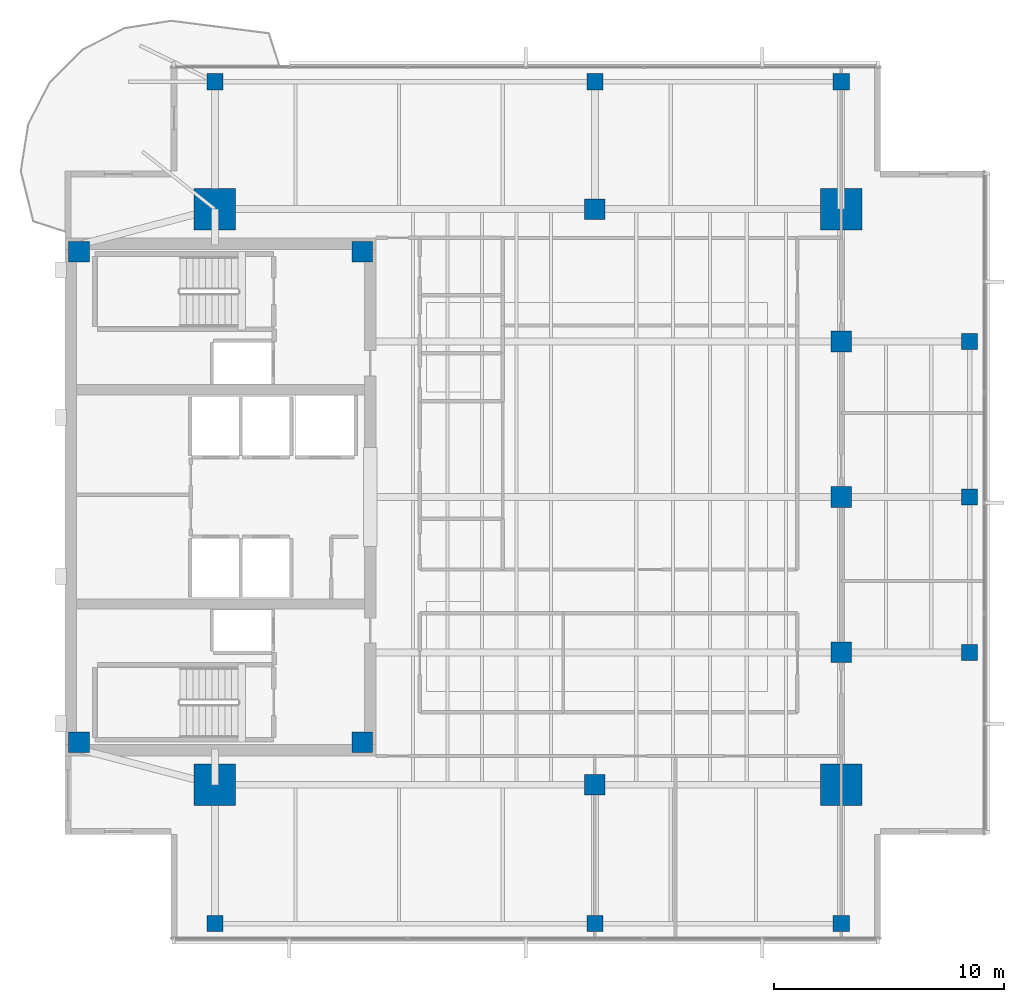
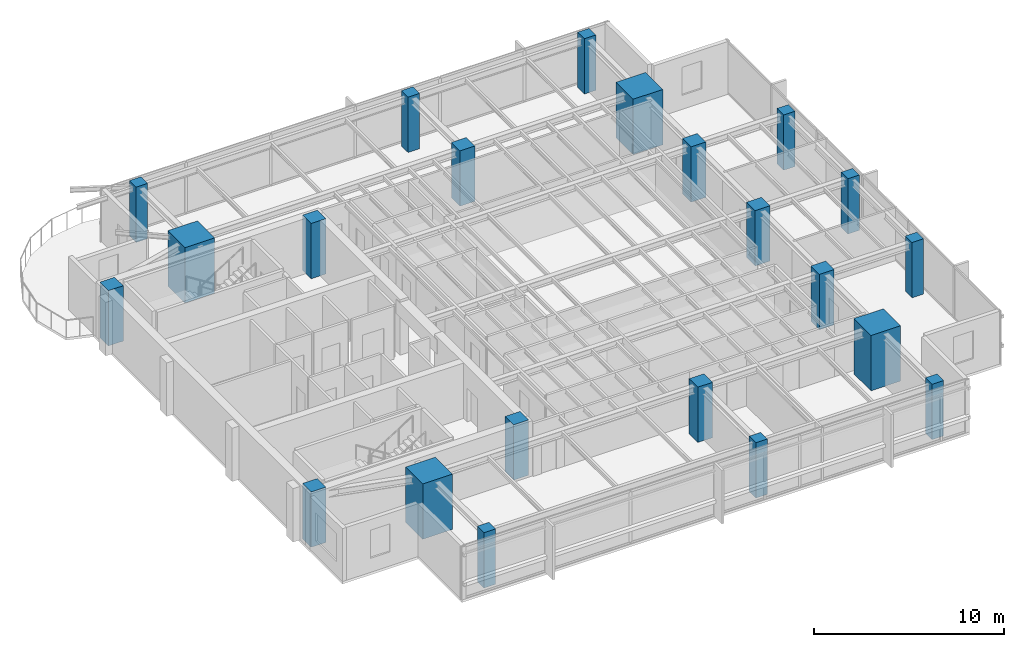
# One storey, part 1 of 14: 22 columns.
"""IFC4 building model written with IfcOpenShell, lengths in metres."""

import ifcopenshell
import ifcopenshell.guid

model = None  # the IFC model being written
_history = None  # IfcOwnerHistory: only IFC2X3 demands one
_inside = {}  # id of a spatial element -> (the spatial element, [elements in it])
_under = {}  # id of a project, library or spatial element -> (it, [spatial elements below it])
_declared = {}  # id of a project -> (the project, [libraries it declares])
_typed = {}  # id of a type object -> (the type object, [elements of that type])
_made_of = {}  # id of a material, layer set ... -> (it, [elements and type objects made of it])


def new_model(schema):
    """Start an empty IFC model of exactly this schema.

    Asked for "IFC4X3", IfcOpenShell would pick the latest addendum, in which some entities
    have other attributes; the version numbers below select the first issue.
    IFC2X3 requires an IfcOwnerHistory on every rooted entity: one is made here for all.
    """
    global model, _history
    if schema == "IFC4X3":
        model = ifcopenshell.file(schema_version=(4, 3, 0, 0))
    else:
        model = ifcopenshell.file(schema=schema)
    _inside.clear()
    _under.clear()
    _declared.clear()
    _typed.clear()
    _made_of.clear()
    _history = None
    if model.schema == "IFC2X3":
        org = make("IfcOrganization", Name="unknown")
        user = make(
            "IfcPersonAndOrganization",
            ThePerson=make("IfcPerson", FamilyName="unknown"),
            TheOrganization=org,
        )
        app = make(
            "IfcApplication",
            ApplicationDeveloper=org,
            Version="unknown",
            ApplicationFullName="unknown",
            ApplicationIdentifier="unknown",
        )
        _history = make(
            "IfcOwnerHistory",
            OwningUser=user,
            OwningApplication=app,
            ChangeAction="ADDED",
            CreationDate=0,
        )
    return model


def make(cls, **values):
    """One entity of the class cls with the attributes given. An attribute that is None is left unset."""
    return model.create_entity(
        cls, **{name: value for name, value in values.items() if value is not None}
    )


def rooted(cls, **values):
    """An entity with a GlobalId (a new one), such as an element, a storey or a relation."""
    return make(cls, GlobalId=ifcopenshell.guid.new(), OwnerHistory=_history, **values)


def si_unit(unit_type, name, prefix=None):
    """IfcSIUnit, for example si_unit("LENGTHUNIT", "METRE", prefix="MILLI")."""
    return make("IfcSIUnit", UnitType=unit_type, Prefix=prefix, Name=name)


def assignment(units):
    """IfcUnitAssignment: the units of a project."""
    return None if units is None else make("IfcUnitAssignment", Units=units)


def point(xyz):
    """IfcCartesianPoint."""
    return None if xyz is None else make("IfcCartesianPoint", Coordinates=xyz)


def direction(xyz):
    """IfcDirection."""
    return None if xyz is None else make("IfcDirection", DirectionRatios=xyz)


def frame(location, z_axis=None, x_axis=None):
    """IfcAxis2Placement3D, a coordinate frame: its origin and axes. An axis left out is left unset."""
    return make(
        "IfcAxis2Placement3D",
        Location=point(location),
        Axis=direction(z_axis),
        RefDirection=direction(x_axis),
    )


def frame_2d(location, x_axis=None):
    """IfcAxis2Placement2D, a coordinate frame in the plane: its origin and x axis."""
    return make(
        "IfcAxis2Placement2D", Location=point(location), RefDirection=direction(x_axis)
    )


def origin():
    """The frame at (0, 0, 0) with its axes left unset."""
    return frame((0.0, 0.0, 0.0))


def origin_2d():
    """The frame at (0, 0) in the plane with its x axis left unset."""
    return frame_2d((0.0, 0.0))


def place(relative_to, where):
    """IfcLocalPlacement: puts the frame where relative to a parent placement (None: the world)."""
    return make(
        "IfcLocalPlacement", PlacementRelTo=relative_to, RelativePlacement=where
    )


def context(
    kind, dimensions, precision=None, world=None, true_north=None, identifier=None
):
    """IfcGeometricRepresentationContext, for example the 3D "Model" context."""
    return make(
        "IfcGeometricRepresentationContext",
        ContextIdentifier=identifier,
        ContextType=kind,
        CoordinateSpaceDimension=dimensions,
        Precision=precision,
        WorldCoordinateSystem=world,
        TrueNorth=true_north,
    )


def subcontext(parent, identifier, kind, view, scale=None):
    """IfcGeometricRepresentationSubContext, for example "Body" below "Model"."""
    return make(
        "IfcGeometricRepresentationSubContext",
        ContextIdentifier=identifier,
        ContextType=kind,
        ParentContext=parent,
        TargetScale=scale,
        TargetView=view,
    )


def project(units=None, contexts=None):
    """IfcProject with its units and contexts."""
    return rooted(
        "IfcProject",
        Name="project",
        RepresentationContexts=contexts,
        UnitsInContext=assignment(units),
    )


def spatial(cls, under=None, at=None, **own):
    """A site, building, storey or space (cls), placed at a placement, below another one or the project."""
    s = rooted(cls, ObjectPlacement=at, **own)
    if under is not None:
        _under.setdefault(under.id(), (under, []))[1].append(s)
    return s


def profile(cls, at=None, kind="AREA", **sizes):
    """A parametric profile (cls). Its sizes go by their IFC names, for example OverallWidth=200.0."""
    return make(cls, ProfileType=kind, Position=at, **sizes)


def rectangle(**sizes):
    """IfcRectangleProfileDef."""
    return profile("IfcRectangleProfileDef", **sizes)


def extrude(swept, where, along, depth):
    """IfcExtrudedAreaSolid: the profile swept, set in the frame where, extruded along a direction by depth."""
    return make(
        "IfcExtrudedAreaSolid",
        SweptArea=swept,
        Position=where,
        ExtrudedDirection=direction(along),
        Depth=depth,
    )


def shape(context_of_items, identifier, shape_type, items):
    """IfcShapeRepresentation: the items that make up one representation, for example the "Body"."""
    return make(
        "IfcShapeRepresentation",
        ContextOfItems=context_of_items,
        RepresentationIdentifier=identifier,
        RepresentationType=shape_type,
        Items=items,
    )


def material(Name=None, Category=None):
    """IfcMaterial."""
    return make("IfcMaterial", Name=Name, Category=Category)


def material_profile(
    of_material, cross_section, Name=None, Category=None, Priority=None
):
    """IfcMaterialProfile: a cross section and its material."""
    return make(
        "IfcMaterialProfile",
        Name=Name,
        Material=of_material,
        Profile=cross_section,
        Priority=Priority,
        Category=Category,
    )


def profile_set(profiles, Name=None, composite=None):
    """IfcMaterialProfileSet."""
    return make(
        "IfcMaterialProfileSet",
        Name=Name,
        MaterialProfiles=profiles,
        CompositeProfile=composite,
    )


def made_of(thing, what):
    """Note that an element or type object is made of a material, layer set ...; save() writes the relation."""
    if what is not None:
        _made_of.setdefault(what.id(), (what, []))[1].append(thing)
    return thing


def type_object(cls, material=None, **own):
    """A type object (cls), such as IfcWallType, which elements share."""
    return made_of(rooted(cls, **own), material)


def element(
    cls,
    number,
    at=None,
    inside=None,
    cuts=None,
    type_object=None,
    material=None,
    context=None,
    identifier="Body",
    shape_type=None,
    held_by="IfcProductDefinitionShape",
    body=None,
    shapes=None,
    **own,
):
    """One element of the class cls, such as IfcWall. Its Tag is "e" and its number.

    at: its placement. inside: the storey or other place that contains it. cuts: it is an
    opening in that element (IfcRelVoidsElement). A single representation is given by context,
    identifier, shape_type and body (its items); several are given by shapes. held_by: the class
    of the entity that holds the representations. save() writes the other relations.
    """
    e = rooted(cls, Tag="e%d" % number, ObjectPlacement=at, **own)
    if body is not None:
        shapes = [shape(context, identifier, shape_type, body)]
    if shapes is not None:
        e.Representation = make(held_by, Representations=shapes)
    if inside is not None:
        _inside.setdefault(inside.id(), (inside, []))[1].append(e)
    if cuts is not None:
        rooted(
            "IfcRelVoidsElement", RelatingBuildingElement=cuts, RelatedOpeningElement=e
        )
    if type_object is not None:
        _typed.setdefault(type_object.id(), (type_object, []))[1].append(e)
    return made_of(e, material)


def aggregate(whole, parts):
    """IfcRelAggregates: a whole, such as a stair, and the parts it consists of."""
    return rooted("IfcRelAggregates", RelatingObject=whole, RelatedObjects=parts)


def save(model, path):
    """Write the relations noted so far, then the file.

    IfcRelAggregates (storeys below a building ...), IfcRelContainedInSpatialStructure (elements
    in a storey), IfcRelDefinesByType, IfcRelAssociatesMaterial and IfcRelDeclares: one each for
    every whole, place, type object, material and project.
    """
    for whole, parts in _under.values():
        aggregate(whole, parts)
    for where, things in _inside.values():
        rooted(
            "IfcRelContainedInSpatialStructure",
            RelatedElements=things,
            RelatingStructure=where,
        )
    for kind, things in _typed.values():
        rooted("IfcRelDefinesByType", RelatedObjects=things, RelatingType=kind)
    for what, things in _made_of.values():
        rooted("IfcRelAssociatesMaterial", RelatedObjects=things, RelatingMaterial=what)
    for by, libraries in _declared.values():
        rooted("IfcRelDeclares", RelatingContext=by, RelatedDefinitions=libraries)
    model.write(path)


model = new_model("IFC4")

# Units and contexts
model_context = context("Model", 3, precision=1e-05, world=origin(), true_north=direction((0.0, 1.0)))
body_context = subcontext(model_context, "Body", "Model", "MODEL_VIEW")
ifc_project = project(units=[si_unit("LENGTHUNIT", "METRE"), si_unit("AREAUNIT", "SQUARE_METRE"), si_unit("VOLUMEUNIT", "CUBIC_METRE"), si_unit("PLANEANGLEUNIT", "RADIAN"), si_unit("MASSUNIT", "GRAM", prefix="KILO")], contexts=[model_context])

# Site, building, storey
site_placement = place(None, origin())
site = spatial("IfcSite", under=ifc_project, at=site_placement, CompositionType="ELEMENT")
building_placement = place(site_placement, origin())
building = spatial("IfcBuilding", under=site, at=building_placement, Name="Kinhvarn Gate Tower", CompositionType="ELEMENT")
storey_placement = place(building_placement, frame((0.0, 0.0, 277.64990234375)))
storey = spatial("IfcBuildingStorey", under=building, at=storey_placement, Name="L74", CompositionType="ELEMENT", Elevation=277.64990234375)

# Columns
ifc_material_1 = material(Name="Concrete C60/75", Category="concrete")
ifc_material_profile_1 = material_profile(ifc_material_1, rectangle(XDim=1.800048828125, YDim=1.800048828125, at=origin_2d()), Name="RC 1800x1800")
ifc_profile_set_1 = profile_set([ifc_material_profile_1], Name="Concrete C60/75")
column_type_1 = type_object("IfcColumnType", Name="COL-MC-1800", PredefinedType="COLUMN", material=ifc_profile_set_1)
for number, where, z_axis, x_axis, name in (
    (1, (11.0, 12.75, 0.0), (0.0, 0.0, 1.0), (1.0, 0.0, 0.0), "Column MC1-L74 (MC-18)"),
    (2, (11.0, 37.75, 0.0), (0.0, 0.0, 1.0), (1.0, 0.0, 0.0), "Column MC4-L74 (MC-18)"),
    (3, (38.199951171875, 12.75, 0.0), (0.0, 0.0, 1.0), (1.0, 0.0, 0.0), "Column MC2-L74 (MC-18)"),
    (4, (38.199951171875, 37.75, 0.0), (0.0, 0.0, 1.0), (1.0, 0.0, 0.0), "Column MC3-L74 (MC-18)"),
):
    element("IfcColumn", number, at=place(storey_placement, frame(where, z_axis=z_axis, x_axis=x_axis)), inside=storey, type_object=column_type_1, Name=name, PredefinedType="COLUMN", context=body_context, shape_type="SweptSolid", body=[
        extrude(rectangle(XDim=1.800048828125, YDim=1.800048828125, at=origin_2d()), origin(), (0.0, 0.0, 1.0), 3.550048828125),
    ])
ifc_material_2 = material(Name="Concrete C50/60", Category="concrete")
ifc_material_profile_2 = material_profile(ifc_material_2, rectangle(XDim=0.699951171875, YDim=0.699951171875, at=origin_2d()), Name="RC 700x700")
ifc_profile_set_2 = profile_set([ifc_material_profile_2], Name="Concrete C50/60")
column_type_2 = type_object("IfcColumnType", Name="COL-RC-700", PredefinedType="COLUMN", material=ifc_profile_set_2)
for number, where, z_axis, x_axis, name in (
    (5, (43.780029296875, 18.5, 0.0), (0.0, 0.0, 1.0), (1.0, 0.0, 0.0), "Column CE-1-L74 (C-070)"),
    (6, (43.780029296875, 25.25, 0.0), (0.0, 0.0, 1.0), (1.0, 0.0, 0.0), "Column CE-2-L74 (C-070)"),
    (7, (43.780029296875, 32.0, 0.0), (0.0, 0.0, 1.0), (1.0, 0.0, 0.0), "Column CE-3-L74 (C-070)"),
    (8, (11.0, 6.719970703125, 0.0), (0.0, 0.0, 1.0), (1.0, 0.0, 0.0), "Column CS-0-L74 (C-070)"),
    (9, (27.5, 6.719970703125, 0.0), (0.0, 0.0, 1.0), (1.0, 0.0, 0.0), "Column CS-1-L74 (C-070)"),
    (10, (38.199951171875, 6.719970703125, 0.0), (0.0, 0.0, 1.0), (1.0, 0.0, 0.0), "Column CS-2-L74 (C-070)"),
    (11, (11.0, 43.280029296875, 0.0), (0.0, 0.0, 1.0), (1.0, 0.0, 0.0), "Column CN-0-L74 (C-070)"),
    (12, (27.5, 43.280029296875, 0.0), (0.0, 0.0, 1.0), (1.0, 0.0, 0.0), "Column CN-1-L74 (C-070)"),
    (13, (38.199951171875, 43.280029296875, 0.0), (0.0, 0.0, 1.0), (1.0, 0.0, 0.0), "Column CN-2-L74 (C-070)"),
):
    element("IfcColumn", number, at=place(storey_placement, frame(where, z_axis=z_axis, x_axis=x_axis)), inside=storey, type_object=column_type_2, Name=name, PredefinedType="COLUMN", context=body_context, shape_type="SweptSolid", body=[
        extrude(rectangle(XDim=0.699951171875, YDim=0.699951171875, at=origin_2d()), origin(), (0.0, 0.0, 1.0), 3.550048828125),
    ])
ifc_material_profile_3 = material_profile(ifc_material_1, rectangle(XDim=0.89990234375, YDim=0.89990234375, at=origin_2d()), Name="RC 900x900")
ifc_profile_set_3 = profile_set([ifc_material_profile_3], Name="Concrete C60/75")
column_type_3 = type_object("IfcColumnType", Name="COL-RC-900", PredefinedType="COLUMN", material=ifc_profile_set_3)
for number, where, z_axis, x_axis, name in (
    (14, (27.5, 12.75, 0.0), (0.0, 0.0, 1.0), (1.0, 0.0, 0.0), "Column SP27-S-L74 (C-090)"),
    (15, (27.5, 37.75, 0.0), (0.0, 0.0, 1.0), (1.0, 0.0, 0.0), "Column SP27-N-L74 (C-090)"),
    (16, (38.199951171875, 18.5, 0.0), (0.0, 0.0, 1.0), (1.0, 0.0, 0.0), "Column SP38-E1-L74 (C-090)"),
    (17, (38.199951171875, 25.25, 0.0), (0.0, 0.0, 1.0), (1.0, 0.0, 0.0), "Column SP38-E2-L74 (C-090)"),
    (18, (38.199951171875, 32.0, 0.0), (0.0, 0.0, 1.0), (1.0, 0.0, 0.0), "Column SP38-E3-L74 (C-090)"),
):
    element("IfcColumn", number, at=place(storey_placement, frame(where, z_axis=z_axis, x_axis=x_axis)), inside=storey, type_object=column_type_3, Name=name, PredefinedType="COLUMN", context=body_context, shape_type="SweptSolid", body=[
        extrude(rectangle(XDim=0.89990234375, YDim=0.89990234375, at=origin_2d()), origin(), (0.0, 0.0, 1.0), 3.550048828125),
    ])
ifc_material_profile_4 = material_profile(ifc_material_2, rectangle(XDim=0.89990234375, YDim=0.89990234375, at=origin_2d()), Name="RC 900x900")
ifc_profile_set_4 = profile_set([ifc_material_profile_4], Name="Concrete C50/60")
column_type_4 = type_object("IfcColumnType", Name="PIL-RC-900", PredefinedType="PILASTER", material=ifc_profile_set_4)
for number, where, z_axis, x_axis, name in (
    (19, (5.10009765625, 14.60009765625, 0.0), (0.0, 0.0, 1.0), (1.0, 0.0, 0.0), "Column CC-SW-L74 (CP-090)"),
    (20, (5.10009765625, 35.89990234375, 0.0), (0.0, 0.0, 1.0), (1.0, 0.0, 0.0), "Column CC-NW-L74 (CP-090)"),
    (21, (17.39990234375, 14.60009765625, 0.0), (0.0, 0.0, 1.0), (1.0, 0.0, 0.0), "Column CC-SE-L74 (CP-090)"),
    (22, (17.39990234375, 35.89990234375, 0.0), (0.0, 0.0, 1.0), (1.0, 0.0, 0.0), "Column CC-NE-L74 (CP-090)"),
):
    element("IfcColumn", number, at=place(storey_placement, frame(where, z_axis=z_axis, x_axis=x_axis)), inside=storey, type_object=column_type_4, Name=name, PredefinedType="PILASTER", context=body_context, shape_type="SweptSolid", body=[
        extrude(rectangle(XDim=0.89990234375, YDim=0.89990234375, at=origin_2d()), origin(), (0.0, 0.0, 1.0), 3.550048828125),
    ])

save(model, "model.ifc")
